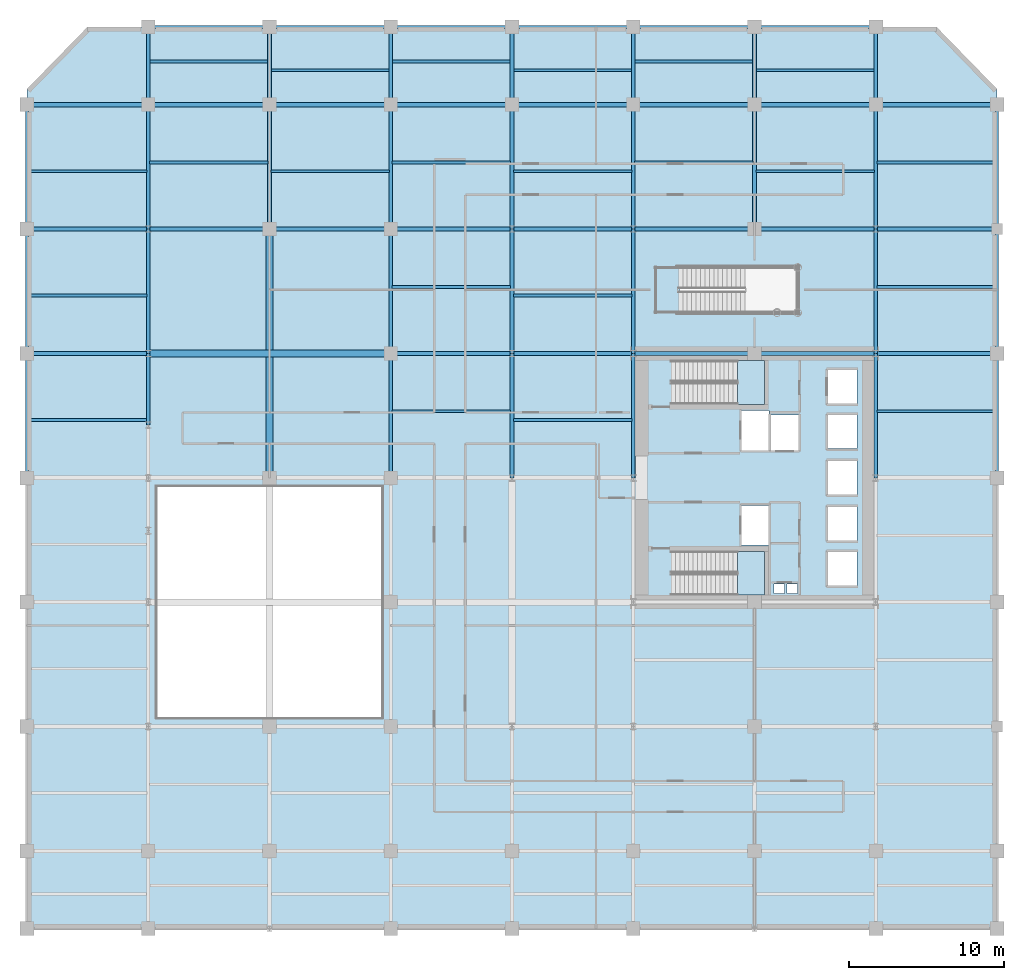
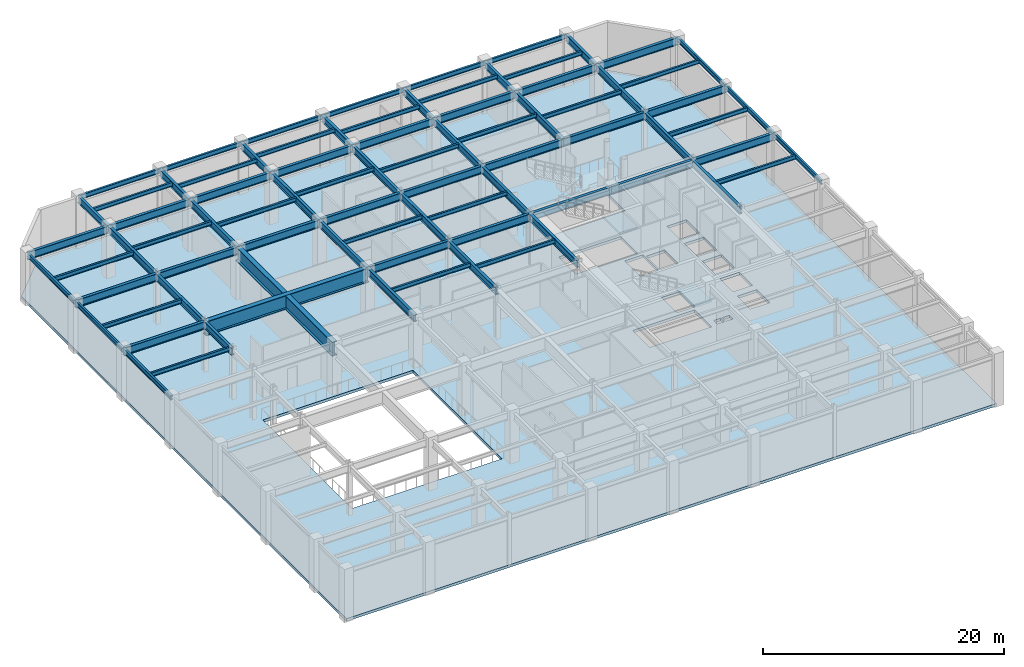
# One storey, part 7 of 13: 82 beams, 3 slabs, 2 elements without a shape of their own.
"""IFC4 building model written with IfcOpenShell, lengths in metres."""

from ifc_helpers import new_model, si_unit, direction, frame, origin, origin_2d, place, context, subcontext, project, spatial, polyline, i_section, outline, extrude, material, layer, layer_set, material_profile, profile_set, type_object, element, aggregate, save


model = new_model("IFC4")

# Units and contexts
model_context = context("Model", 3, precision=1e-05, world=origin(), true_north=direction((0.0, 1.0)))
body_context = subcontext(model_context, "Body", "Model", "MODEL_VIEW")
ifc_project = project(units=[si_unit("LENGTHUNIT", "METRE"), si_unit("AREAUNIT", "SQUARE_METRE"), si_unit("VOLUMEUNIT", "CUBIC_METRE"), si_unit("PLANEANGLEUNIT", "RADIAN"), si_unit("MASSUNIT", "GRAM", prefix="KILO")], contexts=[model_context])

# Site, building, storey
site_placement = place(None, origin())
site = spatial("IfcSite", under=ifc_project, at=site_placement, CompositionType="ELEMENT")
building_placement = place(site_placement, origin())
building = spatial("IfcBuilding", under=site, at=building_placement, Name="Veymaron Broadcast Tower", CompositionType="ELEMENT")
storey_placement = place(building_placement, frame((0.0, 0.0, 21.60009765625)))
storey = spatial("IfcBuildingStorey", under=building, at=storey_placement, Name="L04", CompositionType="ELEMENT", Elevation=21.60009765625)

# Beams
ifc_material_1 = material(Name="Structural steel ASTM A992 Gr 50", Category="steel")
ifc_material_profile_1 = material_profile(ifc_material_1, i_section(OverallWidth=0.177978515625, OverallDepth=0.406982421875, WebThickness=0.0078125, FlangeThickness=0.0126953125, at=origin_2d()), Name="W410X60")
ifc_profile_set_1 = profile_set([ifc_material_profile_1], Name="Structural steel ASTM A992 Gr 50")
beam_type_1 = type_object("IfcBeamType", Name="BM-JS1", PredefinedType="JOIST", material=ifc_profile_set_1)
for number, where, z_axis, x_axis, name in (
    (1, (0.0849609375, 27.719970703125, 4.87646484375), (1.0, 0.0, 0.0), (0.0, 1.0, 0.0), "L04 podium secondary floor joist"),
    (2, (0.0849609375, 35.719970703125, 4.87646484375), (1.0, 0.0, 0.0), (0.0, 1.0, 0.0), "L04 podium secondary floor joist"),
    (3, (0.0849609375, 43.719970703125, 4.87646484375), (1.0, 0.0, 0.0), (0.0, 1.0, 0.0), "L04 podium secondary floor joist"),
):
    element("IfcBeam", number, at=place(storey_placement, frame(where, z_axis=z_axis, x_axis=x_axis)), inside=storey, type_object=beam_type_1, Name=name, PredefinedType="JOIST", context=body_context, shape_type="SweptSolid", body=[
        extrude(i_section(OverallWidth=0.177978515625, OverallDepth=0.406982421875, WebThickness=0.0078125, FlangeThickness=0.0126953125, at=origin_2d()), origin(), (0.0, 0.0, 1.0), 7.630126953125),
    ])
for number, where, z_axis, x_axis, name in (
    (4, (7.885009765625, 44.280029296875, 4.87646484375), (1.0, 0.0, 0.0), (0.0, 1.0, 0.0), "L04 podium secondary floor joist"),
    (5, (7.885009765625, 50.780029296875, 4.87646484375), (1.0, 0.0, 0.0), (0.0, 1.0, 0.0), "L04 podium secondary floor joist"),
    (6, (15.68505859375, 43.719970703125, 4.87646484375), (1.0, 0.0, 0.0), (0.0, 1.0, 0.0), "L04 podium secondary floor joist"),
    (7, (15.68505859375, 50.219970703125, 4.87646484375), (1.0, 0.0, 0.0), (0.0, 1.0, 0.0), "L04 podium secondary floor joist"),
    (8, (23.485107421875, 28.280029296875, 4.87646484375), (1.0, 0.0, 0.0), (0.0, 1.0, 0.0), "L04 podium secondary floor joist"),
    (9, (23.485107421875, 36.280029296875, 4.87646484375), (1.0, 0.0, 0.0), (0.0, 1.0, 0.0), "L04 podium secondary floor joist"),
    (10, (23.485107421875, 44.280029296875, 4.87646484375), (1.0, 0.0, 0.0), (0.0, 1.0, 0.0), "L04 podium secondary floor joist"),
    (11, (23.485107421875, 50.780029296875, 4.87646484375), (1.0, 0.0, 0.0), (0.0, 1.0, 0.0), "L04 podium secondary floor joist"),
):
    element("IfcBeam", number, at=place(storey_placement, frame(where, z_axis=z_axis, x_axis=x_axis)), inside=storey, type_object=beam_type_1, Name=name, PredefinedType="JOIST", context=body_context, shape_type="SweptSolid", body=[
        extrude(i_section(OverallWidth=0.177978515625, OverallDepth=0.406982421875, WebThickness=0.0078125, FlangeThickness=0.0126953125, at=origin_2d()), origin(), (0.0, 0.0, 1.0), 7.6298828125),
    ])
for number, where, z_axis, x_axis, name in (
    (12, (31.284912109375, 27.719970703125, 4.87646484375), (1.0, 0.0, 0.0), (0.0, 1.0, 0.0), "L04 podium secondary floor joist"),
    (13, (31.284912109375, 35.719970703125, 4.87646484375), (1.0, 0.0, 0.0), (0.0, 1.0, 0.0), "L04 podium secondary floor joist"),
    (14, (31.284912109375, 43.719970703125, 4.87646484375), (1.0, 0.0, 0.0), (0.0, 1.0, 0.0), "L04 podium secondary floor joist"),
    (15, (31.284912109375, 50.219970703125, 4.87646484375), (1.0, 0.0, 0.0), (0.0, 1.0, 0.0), "L04 podium secondary floor joist"),
    (16, (39.0849609375, 44.280029296875, 4.87646484375), (1.0, 0.0, 0.0), (0.0, 1.0, 0.0), "L04 podium secondary floor joist"),
    (17, (39.0849609375, 50.780029296875, 4.87646484375), (1.0, 0.0, 0.0), (0.0, 1.0, 0.0), "L04 podium secondary floor joist"),
):
    element("IfcBeam", number, at=place(storey_placement, frame(where, z_axis=z_axis, x_axis=x_axis)), inside=storey, type_object=beam_type_1, Name=name, PredefinedType="JOIST", context=body_context, shape_type="SweptSolid", body=[
        extrude(i_section(OverallWidth=0.177978515625, OverallDepth=0.406982421875, WebThickness=0.0078125, FlangeThickness=0.0126953125, at=origin_2d()), origin(), (0.0, 0.0, 1.0), 7.630126953125),
    ])
for number, where, z_axis, x_axis, name in (
    (18, (46.885009765625, 43.719970703125, 4.87646484375), (1.0, 0.0, 0.0), (0.0, 1.0, 0.0), "L04 podium secondary floor joist"),
    (19, (46.885009765625, 50.219970703125, 4.87646484375), (1.0, 0.0, 0.0), (0.0, 1.0, 0.0), "L04 podium secondary floor joist"),
    (20, (54.68505859375, 28.280029296875, 4.87646484375), (1.0, 0.0, 0.0), (0.0, 1.0, 0.0), "L04 podium secondary floor joist"),
    (21, (54.68505859375, 36.280029296875, 4.87646484375), (1.0, 0.0, 0.0), (0.0, 1.0, 0.0), "L04 podium secondary floor joist"),
    (22, (54.68505859375, 44.280029296875, 4.87646484375), (1.0, 0.0, 0.0), (0.0, 1.0, 0.0), "L04 podium secondary floor joist"),
):
    element("IfcBeam", number, at=place(storey_placement, frame(where, z_axis=z_axis, x_axis=x_axis)), inside=storey, type_object=beam_type_1, Name=name, PredefinedType="JOIST", context=body_context, shape_type="SweptSolid", body=[
        extrude(i_section(OverallWidth=0.177978515625, OverallDepth=0.406982421875, WebThickness=0.0078125, FlangeThickness=0.0126953125, at=origin_2d()), origin(), (0.0, 0.0, 1.0), 7.6298828125),
    ])
ifc_material_profile_2 = material_profile(ifc_material_1, i_section(OverallWidth=0.26806640625, OverallDepth=0.77001953125, WebThickness=0.015625, FlangeThickness=0.025390625, at=origin_2d()), Name="W760X196")
ifc_profile_set_2 = profile_set([ifc_material_profile_2], Name="Structural steel ASTM A992 Gr 50")
beam_type_2 = type_object("IfcBeamType", Name="BM-PG1", PredefinedType="BEAM", material=ifc_profile_set_2)
for number, where, z_axis, x_axis, name in (
    (23, (0.0, 32.0, 4.69482421875), (1.0, 0.0, 0.0), (0.0, 1.0, 0.0), "L04 podium primary X-girder"),
    (24, (23.39990234375, 32.0, 4.69482421875), (1.0, 0.0, 0.0), (0.0, 1.0, 0.0), "L04 podium primary X-girder"),
    (25, (31.199951171875, 32.0, 4.69482421875), (1.0, 0.0, 0.0), (0.0, 1.0, 0.0), "L04 podium primary X-girder"),
    (26, (39.0, 32.0, 4.69482421875), (1.0, 0.0, 0.0), (0.0, 1.0, 0.0), "L04 podium primary X-girder"),
    (27, (46.800048828125, 32.0, 4.69482421875), (1.0, 0.0, 0.0), (0.0, 1.0, 0.0), "L04 podium primary X-girder"),
):
    element("IfcBeam", number, at=place(storey_placement, frame(where, z_axis=z_axis, x_axis=x_axis)), inside=storey, type_object=beam_type_2, Name=name, PredefinedType="BEAM", context=body_context, shape_type="SweptSolid", body=[
        extrude(i_section(OverallWidth=0.26806640625, OverallDepth=0.77001953125, WebThickness=0.015625, FlangeThickness=0.025390625, at=origin_2d()), origin(), (0.0, 0.0, 1.0), 7.800048828125),
    ])
beam_1_placement = place(storey_placement, frame((54.60009765625, 32.0, 4.69482421875), z_axis=(1.0, 0.0, 0.0), x_axis=(0.0, 1.0, 0.0)))
element("IfcBeam", 28, at=beam_1_placement, inside=storey, type_object=beam_type_2, Name="L04 podium primary X-girder", PredefinedType="BEAM", context=body_context, shape_type="SweptSolid", body=[
    extrude(i_section(OverallWidth=0.26806640625, OverallDepth=0.77001953125, WebThickness=0.015625, FlangeThickness=0.025390625, at=origin_2d()), origin(), (0.0, 0.0, 1.0), 7.7998046875),
])
for number, where, z_axis, x_axis, name in (
    (29, (0.0, 40.0, 4.69482421875), (1.0, 0.0, 0.0), (0.0, 1.0, 0.0), "L04 podium primary X-girder"),
    (30, (7.800048828125, 40.0, 4.69482421875), (1.0, 0.0, 0.0), (0.0, 1.0, 0.0), "L04 podium primary X-girder"),
):
    element("IfcBeam", number, at=place(storey_placement, frame(where, z_axis=z_axis, x_axis=x_axis)), inside=storey, type_object=beam_type_2, Name=name, PredefinedType="BEAM", context=body_context, shape_type="SweptSolid", body=[
        extrude(i_section(OverallWidth=0.26806640625, OverallDepth=0.77001953125, WebThickness=0.015625, FlangeThickness=0.025390625, at=origin_2d()), origin(), (0.0, 0.0, 1.0), 7.800048828125),
    ])
beam_2_placement = place(storey_placement, frame((15.60009765625, 40.0, 4.69482421875), z_axis=(1.0, 0.0, 0.0), x_axis=(0.0, 1.0, 0.0)))
element("IfcBeam", 31, at=beam_2_placement, inside=storey, type_object=beam_type_2, Name="L04 podium primary X-girder", PredefinedType="BEAM", context=body_context, shape_type="SweptSolid", body=[
    extrude(i_section(OverallWidth=0.26806640625, OverallDepth=0.77001953125, WebThickness=0.015625, FlangeThickness=0.025390625, at=origin_2d()), origin(), (0.0, 0.0, 1.0), 7.7998046875),
])
for number, where, z_axis, x_axis, name in (
    (32, (23.39990234375, 40.0, 4.69482421875), (1.0, 0.0, 0.0), (0.0, 1.0, 0.0), "L04 podium primary X-girder"),
    (33, (31.199951171875, 40.0, 4.69482421875), (1.0, 0.0, 0.0), (0.0, 1.0, 0.0), "L04 podium primary X-girder"),
    (34, (39.0, 40.0, 4.69482421875), (1.0, 0.0, 0.0), (0.0, 1.0, 0.0), "L04 podium primary X-girder"),
    (35, (46.800048828125, 40.0, 4.69482421875), (1.0, 0.0, 0.0), (0.0, 1.0, 0.0), "L04 podium primary X-girder"),
):
    element("IfcBeam", number, at=place(storey_placement, frame(where, z_axis=z_axis, x_axis=x_axis)), inside=storey, type_object=beam_type_2, Name=name, PredefinedType="BEAM", context=body_context, shape_type="SweptSolid", body=[
        extrude(i_section(OverallWidth=0.26806640625, OverallDepth=0.77001953125, WebThickness=0.015625, FlangeThickness=0.025390625, at=origin_2d()), origin(), (0.0, 0.0, 1.0), 7.800048828125),
    ])
beam_3_placement = place(storey_placement, frame((54.60009765625, 40.0, 4.69482421875), z_axis=(1.0, 0.0, 0.0), x_axis=(0.0, 1.0, 0.0)))
element("IfcBeam", 36, at=beam_3_placement, inside=storey, type_object=beam_type_2, Name="L04 podium primary X-girder", PredefinedType="BEAM", context=body_context, shape_type="SweptSolid", body=[
    extrude(i_section(OverallWidth=0.26806640625, OverallDepth=0.77001953125, WebThickness=0.015625, FlangeThickness=0.025390625, at=origin_2d()), origin(), (0.0, 0.0, 1.0), 7.7998046875),
])
for number, where, z_axis, x_axis, name in (
    (37, (0.0, 48.0, 4.69482421875), (1.0, 0.0, 0.0), (0.0, 1.0, 0.0), "L04 podium primary X-girder"),
    (38, (7.800048828125, 48.0, 4.69482421875), (1.0, 0.0, 0.0), (0.0, 1.0, 0.0), "L04 podium primary X-girder"),
):
    element("IfcBeam", number, at=place(storey_placement, frame(where, z_axis=z_axis, x_axis=x_axis)), inside=storey, type_object=beam_type_2, Name=name, PredefinedType="BEAM", context=body_context, shape_type="SweptSolid", body=[
        extrude(i_section(OverallWidth=0.26806640625, OverallDepth=0.77001953125, WebThickness=0.015625, FlangeThickness=0.025390625, at=origin_2d()), origin(), (0.0, 0.0, 1.0), 7.800048828125),
    ])
beam_4_placement = place(storey_placement, frame((15.60009765625, 48.0, 4.69482421875), z_axis=(1.0, 0.0, 0.0), x_axis=(0.0, 1.0, 0.0)))
element("IfcBeam", 39, at=beam_4_placement, inside=storey, type_object=beam_type_2, Name="L04 podium primary X-girder", PredefinedType="BEAM", context=body_context, shape_type="SweptSolid", body=[
    extrude(i_section(OverallWidth=0.26806640625, OverallDepth=0.77001953125, WebThickness=0.015625, FlangeThickness=0.025390625, at=origin_2d()), origin(), (0.0, 0.0, 1.0), 7.7998046875),
])
for number, where, z_axis, x_axis, name in (
    (40, (23.39990234375, 48.0, 4.69482421875), (1.0, 0.0, 0.0), (0.0, 1.0, 0.0), "L04 podium primary X-girder"),
    (41, (31.199951171875, 48.0, 4.69482421875), (1.0, 0.0, 0.0), (0.0, 1.0, 0.0), "L04 podium primary X-girder"),
    (42, (39.0, 48.0, 4.69482421875), (1.0, 0.0, 0.0), (0.0, 1.0, 0.0), "L04 podium primary X-girder"),
    (43, (46.800048828125, 48.0, 4.69482421875), (1.0, 0.0, 0.0), (0.0, 1.0, 0.0), "L04 podium primary X-girder"),
):
    element("IfcBeam", number, at=place(storey_placement, frame(where, z_axis=z_axis, x_axis=x_axis)), inside=storey, type_object=beam_type_2, Name=name, PredefinedType="BEAM", context=body_context, shape_type="SweptSolid", body=[
        extrude(i_section(OverallWidth=0.26806640625, OverallDepth=0.77001953125, WebThickness=0.015625, FlangeThickness=0.025390625, at=origin_2d()), origin(), (0.0, 0.0, 1.0), 7.800048828125),
    ])
beam_5_placement = place(storey_placement, frame((54.60009765625, 48.0, 4.69482421875), z_axis=(1.0, 0.0, 0.0), x_axis=(0.0, 1.0, 0.0)))
element("IfcBeam", 44, at=beam_5_placement, inside=storey, type_object=beam_type_2, Name="L04 podium primary X-girder", PredefinedType="BEAM", context=body_context, shape_type="SweptSolid", body=[
    extrude(i_section(OverallWidth=0.26806640625, OverallDepth=0.77001953125, WebThickness=0.015625, FlangeThickness=0.025390625, at=origin_2d()), origin(), (0.0, 0.0, 1.0), 7.7998046875),
])
ifc_material_profile_3 = material_profile(ifc_material_1, i_section(OverallWidth=0.256103515625, OverallDepth=0.693115234375, WebThickness=0.014404296875, FlangeThickness=0.023681640625, at=origin_2d()), Name="W690X170")
ifc_profile_set_3 = profile_set([ifc_material_profile_3], Name="Structural steel ASTM A992 Gr 50")
beam_type_3 = type_object("IfcBeamType", Name="BM-PG2", PredefinedType="BEAM", material=ifc_profile_set_3)
beam_6_placement = place(storey_placement, frame((7.800048828125, 27.39990234375, 4.7333984375), z_axis=(0.0, 1.0, 0.0), x_axis=(-1.0, 0.0, 0.0)))
element("IfcBeam", 45, at=beam_6_placement, inside=storey, type_object=beam_type_3, Name="L04 podium primary Y-girder", PredefinedType="BEAM", context=body_context, shape_type="SweptSolid", body=[
    extrude(i_section(OverallWidth=0.256103515625, OverallDepth=0.693115234375, WebThickness=0.014404296875, FlangeThickness=0.023681640625, at=origin_2d()), origin(), (0.0, 0.0, 1.0), 4.60009765625),
])
for number, where, z_axis, x_axis, name in (
    (46, (7.800048828125, 32.0, 4.7333984375), (0.0, 1.0, 0.0), (-1.0, 0.0, 0.0), "L04 podium primary Y-girder"),
    (47, (7.800048828125, 40.0, 4.7333984375), (0.0, 1.0, 0.0), (-1.0, 0.0, 0.0), "L04 podium primary Y-girder"),
):
    element("IfcBeam", number, at=place(storey_placement, frame(where, z_axis=z_axis, x_axis=x_axis)), inside=storey, type_object=beam_type_3, Name=name, PredefinedType="BEAM", context=body_context, shape_type="SweptSolid", body=[
        extrude(i_section(OverallWidth=0.256103515625, OverallDepth=0.693115234375, WebThickness=0.014404296875, FlangeThickness=0.023681640625, at=origin_2d()), origin(), (0.0, 0.0, 1.0), 8.0),
    ])
beam_7_placement = place(storey_placement, frame((7.800048828125, 48.0, 4.7333984375), z_axis=(0.0, 1.0, 0.0), x_axis=(-1.0, 0.0, 0.0)))
element("IfcBeam", 48, at=beam_7_placement, inside=storey, type_object=beam_type_3, Name="L04 podium primary Y-girder", PredefinedType="BEAM", context=body_context, shape_type="SweptSolid", body=[
    extrude(i_section(OverallWidth=0.256103515625, OverallDepth=0.693115234375, WebThickness=0.014404296875, FlangeThickness=0.023681640625, at=origin_2d()), origin(), (0.0, 0.0, 1.0), 5.0),
])
beam_8_placement = place(storey_placement, frame((15.60009765625, 40.0, 4.7333984375), z_axis=(0.0, 1.0, 0.0), x_axis=(-1.0, 0.0, 0.0)))
element("IfcBeam", 49, at=beam_8_placement, inside=storey, type_object=beam_type_3, Name="L04 podium primary Y-girder", PredefinedType="BEAM", context=body_context, shape_type="SweptSolid", body=[
    extrude(i_section(OverallWidth=0.256103515625, OverallDepth=0.693115234375, WebThickness=0.014404296875, FlangeThickness=0.023681640625, at=origin_2d()), origin(), (0.0, 0.0, 1.0), 8.0),
])
beam_9_placement = place(storey_placement, frame((15.60009765625, 48.0, 4.7333984375), z_axis=(0.0, 1.0, 0.0), x_axis=(-1.0, 0.0, 0.0)))
element("IfcBeam", 50, at=beam_9_placement, inside=storey, type_object=beam_type_3, Name="L04 podium primary Y-girder", PredefinedType="BEAM", context=body_context, shape_type="SweptSolid", body=[
    extrude(i_section(OverallWidth=0.256103515625, OverallDepth=0.693115234375, WebThickness=0.014404296875, FlangeThickness=0.023681640625, at=origin_2d()), origin(), (0.0, 0.0, 1.0), 5.0),
])
for number, where, z_axis, x_axis, name in (
    (51, (23.39990234375, 24.0, 4.7333984375), (0.0, 1.0, 0.0), (-1.0, 0.0, 0.0), "L04 podium primary Y-girder"),
    (52, (23.39990234375, 32.0, 4.7333984375), (0.0, 1.0, 0.0), (-1.0, 0.0, 0.0), "L04 podium primary Y-girder"),
    (53, (23.39990234375, 40.0, 4.7333984375), (0.0, 1.0, 0.0), (-1.0, 0.0, 0.0), "L04 podium primary Y-girder"),
):
    element("IfcBeam", number, at=place(storey_placement, frame(where, z_axis=z_axis, x_axis=x_axis)), inside=storey, type_object=beam_type_3, Name=name, PredefinedType="BEAM", context=body_context, shape_type="SweptSolid", body=[
        extrude(i_section(OverallWidth=0.256103515625, OverallDepth=0.693115234375, WebThickness=0.014404296875, FlangeThickness=0.023681640625, at=origin_2d()), origin(), (0.0, 0.0, 1.0), 8.0),
    ])
beam_10_placement = place(storey_placement, frame((23.39990234375, 48.0, 4.7333984375), z_axis=(0.0, 1.0, 0.0), x_axis=(-1.0, 0.0, 0.0)))
element("IfcBeam", 54, at=beam_10_placement, inside=storey, type_object=beam_type_3, Name="L04 podium primary Y-girder", PredefinedType="BEAM", context=body_context, shape_type="SweptSolid", body=[
    extrude(i_section(OverallWidth=0.256103515625, OverallDepth=0.693115234375, WebThickness=0.014404296875, FlangeThickness=0.023681640625, at=origin_2d()), origin(), (0.0, 0.0, 1.0), 5.0),
])
for number, where, z_axis, x_axis, name in (
    (55, (31.199951171875, 24.0, 4.7333984375), (0.0, 1.0, 0.0), (-1.0, 0.0, 0.0), "L04 podium primary Y-girder"),
    (56, (31.199951171875, 32.0, 4.7333984375), (0.0, 1.0, 0.0), (-1.0, 0.0, 0.0), "L04 podium primary Y-girder"),
    (57, (31.199951171875, 40.0, 4.7333984375), (0.0, 1.0, 0.0), (-1.0, 0.0, 0.0), "L04 podium primary Y-girder"),
):
    element("IfcBeam", number, at=place(storey_placement, frame(where, z_axis=z_axis, x_axis=x_axis)), inside=storey, type_object=beam_type_3, Name=name, PredefinedType="BEAM", context=body_context, shape_type="SweptSolid", body=[
        extrude(i_section(OverallWidth=0.256103515625, OverallDepth=0.693115234375, WebThickness=0.014404296875, FlangeThickness=0.023681640625, at=origin_2d()), origin(), (0.0, 0.0, 1.0), 8.0),
    ])
beam_11_placement = place(storey_placement, frame((31.199951171875, 48.0, 4.7333984375), z_axis=(0.0, 1.0, 0.0), x_axis=(-1.0, 0.0, 0.0)))
element("IfcBeam", 58, at=beam_11_placement, inside=storey, type_object=beam_type_3, Name="L04 podium primary Y-girder", PredefinedType="BEAM", context=body_context, shape_type="SweptSolid", body=[
    extrude(i_section(OverallWidth=0.256103515625, OverallDepth=0.693115234375, WebThickness=0.014404296875, FlangeThickness=0.023681640625, at=origin_2d()), origin(), (0.0, 0.0, 1.0), 5.0),
])
for number, where, z_axis, x_axis, name in (
    (59, (39.0, 24.0, 4.7333984375), (0.0, 1.0, 0.0), (-1.0, 0.0, 0.0), "L04 podium primary Y-girder"),
    (60, (39.0, 32.0, 4.7333984375), (0.0, 1.0, 0.0), (-1.0, 0.0, 0.0), "L04 podium primary Y-girder"),
    (61, (39.0, 40.0, 4.7333984375), (0.0, 1.0, 0.0), (-1.0, 0.0, 0.0), "L04 podium primary Y-girder"),
):
    element("IfcBeam", number, at=place(storey_placement, frame(where, z_axis=z_axis, x_axis=x_axis)), inside=storey, type_object=beam_type_3, Name=name, PredefinedType="BEAM", context=body_context, shape_type="SweptSolid", body=[
        extrude(i_section(OverallWidth=0.256103515625, OverallDepth=0.693115234375, WebThickness=0.014404296875, FlangeThickness=0.023681640625, at=origin_2d()), origin(), (0.0, 0.0, 1.0), 8.0),
    ])
beam_12_placement = place(storey_placement, frame((39.0, 48.0, 4.7333984375), z_axis=(0.0, 1.0, 0.0), x_axis=(-1.0, 0.0, 0.0)))
element("IfcBeam", 62, at=beam_12_placement, inside=storey, type_object=beam_type_3, Name="L04 podium primary Y-girder", PredefinedType="BEAM", context=body_context, shape_type="SweptSolid", body=[
    extrude(i_section(OverallWidth=0.256103515625, OverallDepth=0.693115234375, WebThickness=0.014404296875, FlangeThickness=0.023681640625, at=origin_2d()), origin(), (0.0, 0.0, 1.0), 5.0),
])
beam_13_placement = place(storey_placement, frame((46.800048828125, 40.0, 4.7333984375), z_axis=(0.0, 1.0, 0.0), x_axis=(-1.0, 0.0, 0.0)))
element("IfcBeam", 63, at=beam_13_placement, inside=storey, type_object=beam_type_3, Name="L04 podium primary Y-girder", PredefinedType="BEAM", context=body_context, shape_type="SweptSolid", body=[
    extrude(i_section(OverallWidth=0.256103515625, OverallDepth=0.693115234375, WebThickness=0.014404296875, FlangeThickness=0.023681640625, at=origin_2d()), origin(), (0.0, 0.0, 1.0), 8.0),
])
beam_14_placement = place(storey_placement, frame((46.800048828125, 48.0, 4.7333984375), z_axis=(0.0, 1.0, 0.0), x_axis=(-1.0, 0.0, 0.0)))
element("IfcBeam", 64, at=beam_14_placement, inside=storey, type_object=beam_type_3, Name="L04 podium primary Y-girder", PredefinedType="BEAM", context=body_context, shape_type="SweptSolid", body=[
    extrude(i_section(OverallWidth=0.256103515625, OverallDepth=0.693115234375, WebThickness=0.014404296875, FlangeThickness=0.023681640625, at=origin_2d()), origin(), (0.0, 0.0, 1.0), 5.0),
])
for number, where, z_axis, x_axis, name in (
    (65, (54.60009765625, 24.0, 4.7333984375), (0.0, 1.0, 0.0), (-1.0, 0.0, 0.0), "L04 podium primary Y-girder"),
    (66, (54.60009765625, 32.0, 4.7333984375), (0.0, 1.0, 0.0), (-1.0, 0.0, 0.0), "L04 podium primary Y-girder"),
    (67, (54.60009765625, 40.0, 4.7333984375), (0.0, 1.0, 0.0), (-1.0, 0.0, 0.0), "L04 podium primary Y-girder"),
):
    element("IfcBeam", number, at=place(storey_placement, frame(where, z_axis=z_axis, x_axis=x_axis)), inside=storey, type_object=beam_type_3, Name=name, PredefinedType="BEAM", context=body_context, shape_type="SweptSolid", body=[
        extrude(i_section(OverallWidth=0.256103515625, OverallDepth=0.693115234375, WebThickness=0.014404296875, FlangeThickness=0.023681640625, at=origin_2d()), origin(), (0.0, 0.0, 1.0), 8.0),
    ])
beam_15_placement = place(storey_placement, frame((54.60009765625, 48.0, 4.7333984375), z_axis=(0.0, 1.0, 0.0), x_axis=(-1.0, 0.0, 0.0)))
element("IfcBeam", 68, at=beam_15_placement, inside=storey, type_object=beam_type_3, Name="L04 podium primary Y-girder", PredefinedType="BEAM", context=body_context, shape_type="SweptSolid", body=[
    extrude(i_section(OverallWidth=0.256103515625, OverallDepth=0.693115234375, WebThickness=0.014404296875, FlangeThickness=0.023681640625, at=origin_2d()), origin(), (0.0, 0.0, 1.0), 5.0),
])
ifc_material_profile_4 = material_profile(ifc_material_1, i_section(OverallWidth=0.19091796875, OverallDepth=0.4599609375, WebThickness=0.010009765625, FlangeThickness=0.01611328125, at=origin_2d()), Name="W460X82")
ifc_profile_set_4 = profile_set([ifc_material_profile_4], Name="Structural steel ASTM A992 Gr 50")
beam_type_4 = type_object("IfcBeamType", Name="BM-SP1", PredefinedType="SPANDREL", material=ifc_profile_set_4)
beam_16_placement = place(storey_placement, frame((7.800048828125, 53.0, 4.849853515625), z_axis=(1.0, 0.0, 0.0), x_axis=(0.0, 1.0, 0.0)))
element("IfcBeam", 69, at=beam_16_placement, inside=storey, type_object=beam_type_4, Name="L04 podium primary X-girder", PredefinedType="SPANDREL", context=body_context, shape_type="SweptSolid", body=[
    extrude(i_section(OverallWidth=0.19091796875, OverallDepth=0.4599609375, WebThickness=0.010009765625, FlangeThickness=0.01611328125, at=origin_2d()), origin(), (0.0, 0.0, 1.0), 7.800048828125),
])
beam_17_placement = place(storey_placement, frame((15.60009765625, 53.0, 4.849853515625), z_axis=(1.0, 0.0, 0.0), x_axis=(0.0, 1.0, 0.0)))
element("IfcBeam", 70, at=beam_17_placement, inside=storey, type_object=beam_type_4, Name="L04 podium primary X-girder", PredefinedType="SPANDREL", context=body_context, shape_type="SweptSolid", body=[
    extrude(i_section(OverallWidth=0.19091796875, OverallDepth=0.4599609375, WebThickness=0.010009765625, FlangeThickness=0.01611328125, at=origin_2d()), origin(), (0.0, 0.0, 1.0), 7.7998046875),
])
for number, where, z_axis, x_axis, name in (
    (71, (23.39990234375, 53.0, 4.849853515625), (1.0, 0.0, 0.0), (0.0, 1.0, 0.0), "L04 podium primary X-girder"),
    (72, (31.199951171875, 53.0, 4.849853515625), (1.0, 0.0, 0.0), (0.0, 1.0, 0.0), "L04 podium primary X-girder"),
    (73, (39.0, 53.0, 4.849853515625), (1.0, 0.0, 0.0), (0.0, 1.0, 0.0), "L04 podium primary X-girder"),
    (74, (46.800048828125, 53.0, 4.849853515625), (1.0, 0.0, 0.0), (0.0, 1.0, 0.0), "L04 podium primary X-girder"),
):
    element("IfcBeam", number, at=place(storey_placement, frame(where, z_axis=z_axis, x_axis=x_axis)), inside=storey, type_object=beam_type_4, Name=name, PredefinedType="SPANDREL", context=body_context, shape_type="SweptSolid", body=[
        extrude(i_section(OverallWidth=0.19091796875, OverallDepth=0.4599609375, WebThickness=0.010009765625, FlangeThickness=0.01611328125, at=origin_2d()), origin(), (0.0, 0.0, 1.0), 7.800048828125),
    ])
for number, where, z_axis, x_axis, name in (
    (75, (0.0, 24.0, 4.849853515625), (0.0, 1.0, 0.0), (-1.0, 0.0, 0.0), "L04 podium primary Y-girder"),
    (76, (0.0, 32.0, 4.849853515625), (0.0, 1.0, 0.0), (-1.0, 0.0, 0.0), "L04 podium primary Y-girder"),
    (77, (0.0, 40.0, 4.849853515625), (0.0, 1.0, 0.0), (-1.0, 0.0, 0.0), "L04 podium primary Y-girder"),
    (78, (62.39990234375, 24.0, 4.849853515625), (0.0, 1.0, 0.0), (-1.0, 0.0, 0.0), "L04 podium primary Y-girder"),
    (79, (62.39990234375, 32.0, 4.849853515625), (0.0, 1.0, 0.0), (-1.0, 0.0, 0.0), "L04 podium primary Y-girder"),
    (80, (62.39990234375, 40.0, 4.849853515625), (0.0, 1.0, 0.0), (-1.0, 0.0, 0.0), "L04 podium primary Y-girder"),
):
    element("IfcBeam", number, at=place(storey_placement, frame(where, z_axis=z_axis, x_axis=x_axis)), inside=storey, type_object=beam_type_4, Name=name, PredefinedType="SPANDREL", context=body_context, shape_type="SweptSolid", body=[
        extrude(i_section(OverallWidth=0.19091796875, OverallDepth=0.4599609375, WebThickness=0.010009765625, FlangeThickness=0.01611328125, at=origin_2d()), origin(), (0.0, 0.0, 1.0), 8.0),
    ])
ifc_material_2 = material(Name="Structural steel ASTM A913 Gr 65", Category="steel")
ifc_material_profile_5 = material_profile(ifc_material_2, i_section(OverallWidth=0.429931640625, OverallDepth=1.419921875, WebThickness=0.030029296875, FlangeThickness=0.050048828125, at=origin_2d()), Name="W1400X550")
ifc_profile_set_5 = profile_set([ifc_material_profile_5], Name="Structural steel ASTM A913 Gr 65")
beam_type_5 = type_object("IfcBeamType", Name="BM-TG0", PredefinedType="BEAM", material=ifc_profile_set_5)
beam_18_placement = place(storey_placement, frame((7.800048828125, 32.0, 4.369873046875), z_axis=(1.0, 0.0, 0.0), x_axis=(0.0, 1.0, 0.0)))
element("IfcBeam", 81, at=beam_18_placement, inside=storey, type_object=beam_type_5, Name="L04 podium primary X-girder", PredefinedType="BEAM", context=body_context, shape_type="SweptSolid", body=[
    extrude(i_section(OverallWidth=0.429931640625, OverallDepth=1.419921875, WebThickness=0.030029296875, FlangeThickness=0.050048828125, at=origin_2d()), origin(), (0.0, 0.0, 1.0), 15.599853515625),
])
beam_19_placement = place(storey_placement, frame((15.60009765625, 24.0, 4.369873046875), z_axis=(0.0, 1.0, 0.0), x_axis=(-1.0, 0.0, 0.0)))
element("IfcBeam", 82, at=beam_19_placement, inside=storey, type_object=beam_type_5, Name="L04 podium primary Y-girder", PredefinedType="BEAM", context=body_context, shape_type="SweptSolid", body=[
    extrude(i_section(OverallWidth=0.429931640625, OverallDepth=1.419921875, WebThickness=0.030029296875, FlangeThickness=0.050048828125, at=origin_2d()), origin(), (0.0, 0.0, 1.0), 16.0),
])

# Slab
ifc_material_3 = material(Name="Concrete C40/50", Category="concrete")
ifc_layer_1 = layer(ifc_material_3, 0.280029296875)
ifc_layer_set_1 = layer_set([ifc_layer_1], Name="Concrete C40/50")
slab_type_1 = type_object("IfcSlabType", Name="SLAB-FS3", PredefinedType="FLOOR", material=ifc_layer_set_1)
slab_1_placement = place(storey_placement, frame((0.0, 0.0, -0.280029296875)))
element("IfcSlab", 83, at=slab_1_placement, inside=storey, type_object=slab_type_1, Name="L04 structural floor slab", PredefinedType="FLOOR", context=body_context, shape_type="SweptSolid", body=[
    extrude(outline(polyline([(0.0, -5.0), (62.39990234375, -5.0), (62.39990234375, 49.0), (58.5, 53.0), (3.89990234375, 53.0), (0.0, 49.0), (0.0, -5.0)]), holes=[polyline([(45.969970703125, 28.330078125), (47.72998046875, 28.330078125), (47.72998046875, 25.77001953125), (45.969970703125, 25.77001953125), (45.969970703125, 28.330078125)]), polyline([(45.969970703125, 22.22998046875), (47.72998046875, 22.22998046875), (47.72998046875, 19.669921875), (45.969970703125, 19.669921875), (45.969970703125, 22.22998046875)]), polyline([(47.8701171875, 28.030029296875), (49.6298828125, 28.030029296875), (49.6298828125, 25.77001953125), (47.8701171875, 25.77001953125), (47.8701171875, 28.030029296875)]), polyline([(51.52001953125, 30.929931640625), (53.3798828125, 30.929931640625), (53.3798828125, 28.77001953125), (51.52001953125, 28.77001953125), (51.52001953125, 30.929931640625)]), polyline([(51.52001953125, 28.030029296875), (53.3798828125, 28.030029296875), (53.3798828125, 25.8701171875), (51.52001953125, 25.8701171875), (51.52001953125, 28.030029296875)]), polyline([(51.52001953125, 22.1298828125), (53.3798828125, 22.1298828125), (53.3798828125, 19.969970703125), (51.52001953125, 19.969970703125), (51.52001953125, 22.1298828125)]), polyline([(51.52001953125, 25.080078125), (53.3798828125, 25.080078125), (53.3798828125, 22.919921875), (51.52001953125, 22.919921875), (51.52001953125, 25.080078125)]), polyline([(51.52001953125, 19.22998046875), (53.3798828125, 19.22998046875), (53.3798828125, 17.070068359375), (51.52001953125, 17.070068359375), (51.52001953125, 19.22998046875)]), polyline([(8.39990234375, 23.39990234375), (22.800048828125, 23.39990234375), (22.800048828125, 8.60009765625), (8.39990234375, 8.60009765625), (8.39990234375, 23.39990234375)]), polyline([(48.050048828125, 17.159912109375), (48.719970703125, 17.159912109375), (48.719970703125, 16.56005859375), (48.050048828125, 16.56005859375), (48.050048828125, 17.159912109375)]), polyline([(48.8798828125, 17.159912109375), (49.550048828125, 17.159912109375), (49.550048828125, 16.56005859375), (48.8798828125, 16.56005859375), (48.8798828125, 17.159912109375)]), polyline([(41.489990234375, 31.550048828125), (47.43994140625, 31.550048828125), (47.43994140625, 28.72998046875), (41.489990234375, 28.72998046875), (41.489990234375, 31.550048828125)]), polyline([(41.489990234375, 19.27001953125), (47.43994140625, 19.27001953125), (47.43994140625, 16.449951171875), (41.489990234375, 16.449951171875), (41.489990234375, 19.27001953125)]), polyline([(41.9599609375, 37.56005859375), (49.60009765625, 37.56005859375), (49.60009765625, 34.60009765625), (41.9599609375, 34.60009765625), (41.9599609375, 37.56005859375)])]), origin(), (0.0, 0.0, 1.0), 0.280029296875),
])

# Stair, slab
ifc_material_4 = material(Name="Concrete C50/60", Category="concrete")
stair_type_1 = type_object("IfcStairType", Name="STAIR-CORE-1", PredefinedType="HALF_TURN_STAIR", material=ifc_material_4)
stair_1_placement = place(storey_placement, origin())
stair_1 = element("IfcStair", 84, at=stair_1_placement, inside=storey, type_object=stair_type_1, Name="L04 North protected dog-leg exit stair ST1", PredefinedType="HALF_TURN_STAIR")
ifc_layer_2 = layer(ifc_material_4, 0.199951171875)
ifc_layer_set_2 = layer_set([ifc_layer_2], Name="Concrete C50/60")
slab_type_2 = type_object("IfcSlabType", Name="SLAB-STAIR-LDG", PredefinedType="LANDING", material=ifc_layer_set_2)
slab_2_placement = place(storey_placement, frame((0.0, 0.0, 2.5)))
slab_2 = element("IfcSlab", 85, at=slab_2_placement, type_object=slab_type_2, Name="ST1 landing 1", PredefinedType="LANDING", context=body_context, shape_type="SweptSolid", body=[
    extrude(outline(polyline([(45.705078125, 28.72998046875), (47.43994140625, 28.72998046875), (47.43994140625, 31.550048828125), (45.705078125, 31.550048828125), (45.705078125, 28.72998046875)])), origin(), (0.0, 0.0, 1.0), 0.199951171875),
])
aggregate(stair_1, [slab_2])

stair_type_2 = type_object("IfcStairType", Name="STAIR-CORE-2", PredefinedType="HALF_TURN_STAIR", material=ifc_material_4)
stair_2_placement = place(storey_placement, origin())
stair_2 = element("IfcStair", 86, at=stair_2_placement, inside=storey, type_object=stair_type_2, Name="L04 South protected dog-leg exit stair ST2", PredefinedType="HALF_TURN_STAIR")
slab_3_placement = place(storey_placement, frame((0.0, 0.0, 2.5)))
slab_3 = element("IfcSlab", 87, at=slab_3_placement, type_object=slab_type_2, Name="ST2 landing 1", PredefinedType="LANDING", context=body_context, shape_type="SweptSolid", body=[
    extrude(outline(polyline([(45.705078125, 16.449951171875), (47.43994140625, 16.449951171875), (47.43994140625, 19.27001953125), (45.705078125, 19.27001953125), (45.705078125, 16.449951171875)])), origin(), (0.0, 0.0, 1.0), 0.199951171875),
])
aggregate(stair_2, [slab_3])

save(model, "model.ifc")
